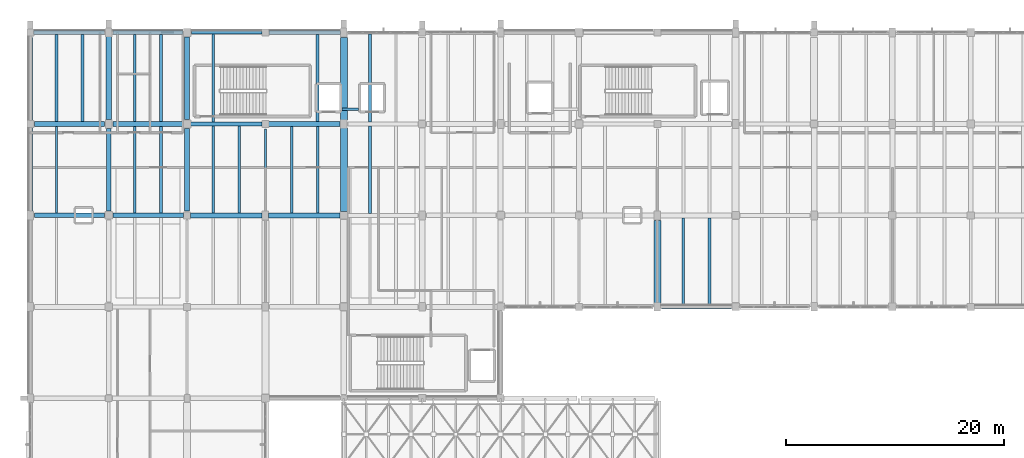
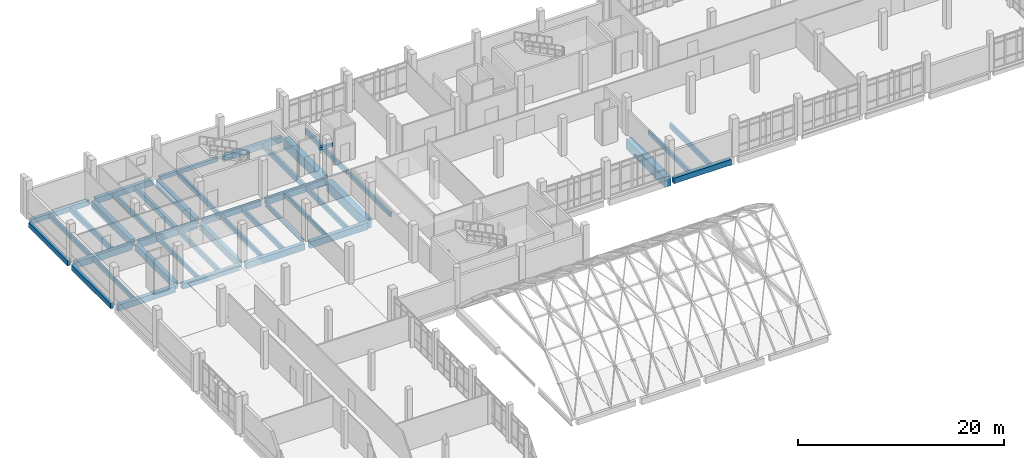
# One storey, part 43 of 87: 41 beams.
"""IFC4 building model written with IfcOpenShell, lengths in metres."""

from ifc_helpers import new_model, si_unit, direction, frame, origin, origin_2d, place, context, subcontext, project, spatial, rectangle, i_section, extrude, material, material_profile, profile_set, type_object, element, save


model = new_model("IFC4")

# Units and contexts
model_context = context("Model", 3, precision=1e-05, world=origin(), true_north=direction((0.0, 1.0)))
body_context = subcontext(model_context, "Body", "Model", "MODEL_VIEW")
ifc_project = project(units=[si_unit("LENGTHUNIT", "METRE"), si_unit("AREAUNIT", "SQUARE_METRE"), si_unit("VOLUMEUNIT", "CUBIC_METRE"), si_unit("PLANEANGLEUNIT", "RADIAN"), si_unit("MASSUNIT", "GRAM", prefix="KILO")], contexts=[model_context])

# Site, building, storey
site_placement = place(None, origin())
site = spatial("IfcSite", under=ifc_project, at=site_placement, CompositionType="ELEMENT")
building_placement = place(site_placement, origin())
building = spatial("IfcBuilding", under=site, at=building_placement, Name="Kalluvel Institute of Natural Sciences", CompositionType="ELEMENT")
storey_placement = place(building_placement, frame((0.0, 0.0, 18.89990234375)))
storey = spatial("IfcBuildingStorey", under=building, at=storey_placement, Name="L04", CompositionType="ELEMENT", Elevation=18.89990234375)

# Beams
ifc_material_1 = material(Name="Steel E350 Grade 350", Category="steel")
ifc_material_profile_1 = material_profile(ifc_material_1, i_section(OverallWidth=0.18994140625, OverallDepth=0.550048828125, WebThickness=0.01123046875, FlangeThickness=0.019287109375, FilletRadius=0.01806640625, at=origin_2d()), Name="ISMB 550")
ifc_profile_set_1 = profile_set([ifc_material_profile_1], Name="Steel E350 Grade 350")
beam_type_1 = type_object("IfcBeamType", Name="BM-ISMB550", PredefinedType="BEAM", material=ifc_profile_set_1)
beam_1_placement = place(storey_placement, frame((35.60009765625, 111.64990234375, -0.594970703125), z_axis=(0.0, 1.0, 0.0), x_axis=(-1.0, 0.0, 0.0)))
element("IfcBeam", 1, at=beam_1_placement, inside=storey, type_object=beam_type_1, Name="L04 girder GIR-L04-NS-X356-Y1112", PredefinedType="BEAM", context=body_context, shape_type="SweptSolid", body=[
    extrude(i_section(OverallWidth=0.18994140625, OverallDepth=0.550048828125, WebThickness=0.01123046875, FlangeThickness=0.019287109375, FilletRadius=0.01806640625, at=origin_2d()), origin(), (0.0, 0.0, 1.0), 7.5),
])
ifc_material_2 = material(Name="Concrete M40", Category="concrete")
ifc_material_profile_2 = material_profile(ifc_material_2, rectangle(XDim=0.3798828125, YDim=0.639892578125, at=origin_2d()), Name="RCB 380x640")
ifc_profile_set_2 = profile_set([ifc_material_profile_2], Name="Concrete M40")
beam_type_2 = type_object("IfcBeamType", Name="BM-RC380x640", PredefinedType="BEAM", material=ifc_profile_set_2)
beam_2_placement = place(storey_placement, frame((28.72509765625, 119.60009765625, -0.639892578125), z_axis=(1.0, 0.0, 0.0), x_axis=(0.0, 1.0, 0.0)))
element("IfcBeam", 2, at=beam_2_placement, inside=storey, type_object=beam_type_2, Name="L04 girder GIR-L04-EW-X284-Y1196", PredefinedType="BEAM", context=body_context, shape_type="SweptSolid", body=[
    extrude(rectangle(XDim=0.3798828125, YDim=0.639892578125, at=origin_2d()), origin(), (0.0, 0.0, 1.0), 6.574951171875),
])
ifc_material_profile_3 = material_profile(ifc_material_2, rectangle(XDim=0.39990234375, YDim=0.64990234375, at=origin_2d()), Name="RCB 400x650")
ifc_profile_set_3 = profile_set([ifc_material_profile_3], Name="Concrete M40")
beam_type_3 = type_object("IfcBeamType", Name="BM-RC400x650", PredefinedType="BEAM", material=ifc_profile_set_3)
beam_3_placement = place(storey_placement, frame((71.97509765625, 102.800048828125, -0.64501953125), z_axis=(1.0, 0.0, 0.0), x_axis=(0.0, 1.0, 0.0)))
element("IfcBeam", 3, at=beam_3_placement, inside=storey, type_object=beam_type_3, Name="L04 girder GIR-L04-EW-X716-Y1028", PredefinedType="BEAM", context=body_context, shape_type="SweptSolid", body=[
    extrude(rectangle(XDim=0.39990234375, YDim=0.64990234375, at=origin_2d()), origin(), (0.0, 0.0, 1.0), 6.4248046875),
])
beam_4_placement = place(storey_placement, frame((21.60009765625, 111.199951171875, -0.64501953125), z_axis=(1.0, 0.0, 0.0), x_axis=(0.0, 1.0, 0.0)))
element("IfcBeam", 4, at=beam_4_placement, inside=storey, type_object=beam_type_3, Name="L04 girder GIR-L04-EW-X212-Y1112", PredefinedType="BEAM", context=body_context, shape_type="SweptSolid", body=[
    extrude(rectangle(XDim=0.39990234375, YDim=0.64990234375, at=origin_2d()), origin(), (0.0, 0.0, 1.0), 6.474853515625),
])
ifc_material_profile_4 = material_profile(ifc_material_2, rectangle(XDim=0.419921875, YDim=0.719970703125, at=origin_2d()), Name="RCB 420x720")
ifc_profile_set_4 = profile_set([ifc_material_profile_4], Name="Concrete M40")
beam_type_4 = type_object("IfcBeamType", Name="BM-RC420x720", PredefinedType="BEAM", material=ifc_profile_set_4)
beam_5_placement = place(storey_placement, frame((14.375, 111.199951171875, -0.679931640625), z_axis=(1.0, 0.0, 0.0), x_axis=(0.0, 1.0, 0.0)))
element("IfcBeam", 5, at=beam_5_placement, inside=storey, type_object=beam_type_4, Name="L04 girder GIR-L04-EW-X140-Y1112", PredefinedType="BEAM", context=body_context, shape_type="SweptSolid", body=[
    extrude(rectangle(XDim=0.419921875, YDim=0.719970703125, at=origin_2d()), origin(), (0.0, 0.0, 1.0), 6.425048828125),
])
beam_6_placement = place(storey_placement, frame((35.89990234375, 119.60009765625, -0.679931640625), z_axis=(1.0, 0.0, 0.0), x_axis=(0.0, 1.0, 0.0)))
element("IfcBeam", 6, at=beam_6_placement, inside=storey, type_object=beam_type_4, Name="L04 girder GIR-L04-EW-X356-Y1196", PredefinedType="BEAM", context=body_context, shape_type="SweptSolid", body=[
    extrude(rectangle(XDim=0.419921875, YDim=0.719970703125, at=origin_2d()), origin(), (0.0, 0.0, 1.0), 6.525146484375),
])
ifc_material_profile_5 = material_profile(ifc_material_2, rectangle(XDim=0.449951171875, YDim=0.75, at=origin_2d()), Name="RCB 450x750")
ifc_profile_set_5 = profile_set([ifc_material_profile_5], Name="Concrete M40")
beam_type_5 = type_object("IfcBeamType", Name="BM-RC450x750", PredefinedType="BEAM", material=ifc_profile_set_5)
beam_7_placement = place(storey_placement, frame((28.72509765625, 111.199951171875, -0.69482421875), z_axis=(1.0, 0.0, 0.0), x_axis=(0.0, 1.0, 0.0)))
element("IfcBeam", 7, at=beam_7_placement, inside=storey, type_object=beam_type_5, Name="L04 girder GIR-L04-EW-X284-Y1112", PredefinedType="BEAM", context=body_context, shape_type="SweptSolid", body=[
    extrude(rectangle(XDim=0.449951171875, YDim=0.75, at=origin_2d()), origin(), (0.0, 0.0, 1.0), 6.574951171875),
])
beam_8_placement = place(storey_placement, frame((14.375, 119.60009765625, -0.69482421875), z_axis=(1.0, 0.0, 0.0), x_axis=(0.0, 1.0, 0.0)))
element("IfcBeam", 8, at=beam_8_placement, inside=storey, type_object=beam_type_5, Name="L04 girder GIR-L04-EW-X140-Y1196", PredefinedType="BEAM", context=body_context, shape_type="SweptSolid", body=[
    extrude(rectangle(XDim=0.449951171875, YDim=0.75, at=origin_2d()), origin(), (0.0, 0.0, 1.0), 6.425048828125),
])
ifc_material_profile_6 = material_profile(ifc_material_2, rectangle(XDim=0.449951171875, YDim=0.800048828125, at=origin_2d()), Name="RCB 450x800")
ifc_profile_set_6 = profile_set([ifc_material_profile_6], Name="Concrete M40")
beam_type_6 = type_object("IfcBeamType", Name="BM-RC450x800", PredefinedType="BEAM", material=ifc_profile_set_6)
beam_9_placement = place(storey_placement, frame((35.89990234375, 111.199951171875, -0.719970703125), z_axis=(1.0, 0.0, 0.0), x_axis=(0.0, 1.0, 0.0)))
element("IfcBeam", 9, at=beam_9_placement, inside=storey, type_object=beam_type_6, Name="L04 girder GIR-L04-EW-X356-Y1112", PredefinedType="BEAM", context=body_context, shape_type="SweptSolid", body=[
    extrude(rectangle(XDim=0.449951171875, YDim=0.800048828125, at=origin_2d()), origin(), (0.0, 0.0, 1.0), 6.525146484375),
])
beam_10_placement = place(storey_placement, frame((21.60009765625, 119.60009765625, -0.719970703125), z_axis=(1.0, 0.0, 0.0), x_axis=(0.0, 1.0, 0.0)))
element("IfcBeam", 10, at=beam_10_placement, inside=storey, type_object=beam_type_6, Name="L04 girder GIR-L04-EW-X212-Y1196", PredefinedType="BEAM", context=body_context, shape_type="SweptSolid", body=[
    extrude(rectangle(XDim=0.449951171875, YDim=0.800048828125, at=origin_2d()), origin(), (0.0, 0.0, 1.0), 6.474853515625),
])
beam_11_placement = place(storey_placement, frame((21.199951171875, 111.60009765625, -0.719970703125), z_axis=(0.0, 1.0, 0.0), x_axis=(-1.0, 0.0, 0.0)))
element("IfcBeam", 11, at=beam_11_placement, inside=storey, type_object=beam_type_6, Name="L04 girder GIR-L04-NS-X212-Y1112", PredefinedType="BEAM", context=body_context, shape_type="SweptSolid", body=[
    extrude(rectangle(XDim=0.449951171875, YDim=0.800048828125, at=origin_2d()), origin(), (0.0, 0.0, 1.0), 7.599853515625),
])
beam_12_placement = place(storey_placement, frame((28.39990234375, 111.625, -0.719970703125), z_axis=(0.0, 1.0, 0.0), x_axis=(-1.0, 0.0, 0.0)))
element("IfcBeam", 12, at=beam_12_placement, inside=storey, type_object=beam_type_6, Name="L04 girder GIR-L04-NS-X284-Y1112", PredefinedType="BEAM", context=body_context, shape_type="SweptSolid", body=[
    extrude(rectangle(XDim=0.449951171875, YDim=0.800048828125, at=origin_2d()), origin(), (0.0, 0.0, 1.0), 7.550048828125),
])
beam_13_placement = place(storey_placement, frame((28.39990234375, 120.02490234375, -0.719970703125), z_axis=(0.0, 1.0, 0.0), x_axis=(-1.0, 0.0, 0.0)))
element("IfcBeam", 13, at=beam_13_placement, inside=storey, type_object=beam_type_6, Name="L04 girder GIR-L04-NS-X284-Y1196", PredefinedType="BEAM", context=body_context, shape_type="SweptSolid", body=[
    extrude(rectangle(XDim=0.449951171875, YDim=0.800048828125, at=origin_2d()), origin(), (0.0, 0.0, 1.0), 7.5751953125),
])
ifc_material_3 = material(Name="Concrete M50", Category="concrete")
ifc_material_profile_7 = material_profile(ifc_material_3, rectangle(XDim=0.5, YDim=0.85009765625, at=origin_2d()), Name="RCB 500x850")
ifc_profile_set_7 = profile_set([ifc_material_profile_7], Name="Concrete M50")
beam_type_7 = type_object("IfcBeamType", Name="BM-RC500x850", PredefinedType="BEAM", material=ifc_profile_set_7)
beam_14_placement = place(storey_placement, frame((21.199951171875, 120.0, -0.744873046875), z_axis=(0.0, 1.0, 0.0), x_axis=(-1.0, 0.0, 0.0)))
element("IfcBeam", 14, at=beam_14_placement, inside=storey, type_object=beam_type_7, Name="L04 girder GIR-L04-NS-X212-Y1196", PredefinedType="BEAM", context=body_context, shape_type="SweptSolid", body=[
    extrude(rectangle(XDim=0.5, YDim=0.85009765625, at=origin_2d()), origin(), (0.0, 0.0, 1.0), 7.625),
])
ifc_material_profile_8 = material_profile(ifc_material_3, rectangle(XDim=0.64990234375, YDim=1.199951171875, at=origin_2d()), Name="RCB 650x1200")
ifc_profile_set_8 = profile_set([ifc_material_profile_8], Name="Concrete M50")
beam_type_8 = type_object("IfcBeamType", Name="BM-RC650x1200", PredefinedType="BEAM", material=ifc_profile_set_8)
beam_15_placement = place(storey_placement, frame((42.800048828125, 111.574951171875, -0.919921875), z_axis=(0.0, 1.0, 0.0), x_axis=(-1.0, 0.0, 0.0)))
element("IfcBeam", 15, at=beam_15_placement, inside=storey, type_object=beam_type_8, Name="L04 girder GIR-L04-NS-X428-Y1112", PredefinedType="BEAM", context=body_context, shape_type="SweptSolid", body=[
    extrude(rectangle(XDim=0.64990234375, YDim=1.199951171875, at=origin_2d()), origin(), (0.0, 0.0, 1.0), 7.650146484375),
])
for number, where, z_axis, x_axis, name in (
    (16, (42.800048828125, 119.97509765625, -0.919921875), (0.0, 1.0, 0.0), (-1.0, 0.0, 0.0), "L04 girder GIR-L04-NS-X428-Y1196"),
    (17, (71.60009765625, 103.175048828125, -0.919921875), (0.0, 1.0, 0.0), (-1.0, 0.0, 0.0), "L04 girder GIR-L04-NS-X716-Y1028"),
):
    element("IfcBeam", number, at=place(storey_placement, frame(where, z_axis=z_axis, x_axis=x_axis)), inside=storey, type_object=beam_type_8, Name=name, PredefinedType="BEAM", context=body_context, shape_type="SweptSolid", body=[
        extrude(rectangle(XDim=0.64990234375, YDim=1.199951171875, at=origin_2d()), origin(), (0.0, 0.0, 1.0), 7.574951171875),
    ])
ifc_material_4 = material(Name="Sadarahalli Granite Precast Concrete M45", Category="masonry")
ifc_material_profile_9 = material_profile(ifc_material_4, rectangle(XDim=0.25, YDim=0.35009765625, at=origin_2d()), Name="LIN 250x350")
ifc_profile_set_9 = profile_set([ifc_material_profile_9], Name="Sadarahalli Granite Precast Concrete M45")
beam_type_9 = type_object("IfcBeamType", Name="LN-250x350-EXT", PredefinedType="LINTEL", material=ifc_profile_set_9)
beam_16_placement = place(storey_placement, frame((42.639892578125, 120.949951171875, 2.35009765625), z_axis=(1.0, 0.0, 0.0), x_axis=(0.0, 1.0, 0.0)))
element("IfcBeam", 18, at=beam_16_placement, inside=storey, type_object=beam_type_9, Name="L04 lift-core coupling lintel A", PredefinedType="LINTEL", context=body_context, shape_type="SweptSolid", body=[
    extrude(rectangle(XDim=0.25, YDim=0.35009765625, at=origin_2d()), origin(), (0.0, 0.0, 1.0), 1.52001953125),
])
ifc_material_profile_10 = material_profile(ifc_material_2, rectangle(XDim=0.300048828125, YDim=0.449951171875, at=origin_2d()), Name="RCB 300x450")
ifc_profile_set_10 = profile_set([ifc_material_profile_10], Name="Concrete M40")
beam_type_10 = type_object("IfcBeamType", Name="SP-RC300x450", PredefinedType="SPANDREL", material=ifc_profile_set_10)
beam_17_placement = place(storey_placement, frame((28.800048828125, 128.0, -0.544921875), z_axis=(1.0, 0.0, 0.0), x_axis=(0.0, 1.0, 0.0)))
element("IfcBeam", 19, at=beam_17_placement, inside=storey, type_object=beam_type_10, Name="L04 girder GIR-L04-EW-X284-Y1280", PredefinedType="SPANDREL", context=body_context, shape_type="SweptSolid", body=[
    extrude(rectangle(XDim=0.300048828125, YDim=0.449951171875, at=origin_2d()), origin(), (0.0, 0.0, 1.0), 6.474853515625),
])
ifc_material_profile_11 = material_profile(ifc_material_2, rectangle(XDim=0.35009765625, YDim=0.60009765625, at=origin_2d()), Name="RCB 350x600")
ifc_profile_set_11 = profile_set([ifc_material_profile_11], Name="Concrete M40")
beam_type_11 = type_object("IfcBeamType", Name="SP-RC350x600", PredefinedType="SPANDREL", material=ifc_profile_set_11)
beam_18_placement = place(storey_placement, frame((14.300048828125, 128.0, -0.619873046875), z_axis=(1.0, 0.0, 0.0), x_axis=(0.0, 1.0, 0.0)))
element("IfcBeam", 20, at=beam_18_placement, inside=storey, type_object=beam_type_11, Name="L04 girder GIR-L04-EW-X140-Y1280", PredefinedType="SPANDREL", context=body_context, shape_type="SweptSolid", body=[
    extrude(rectangle(XDim=0.35009765625, YDim=0.60009765625, at=origin_2d()), origin(), (0.0, 0.0, 1.0), 6.52490234375),
])
beam_19_placement = place(storey_placement, frame((14.0, 111.574951171875, -0.619873046875), z_axis=(0.0, 1.0, 0.0), x_axis=(-1.0, 0.0, 0.0)))
element("IfcBeam", 21, at=beam_19_placement, inside=storey, type_object=beam_type_11, Name="L04 girder GIR-L04-NS-X140-Y1112", PredefinedType="SPANDREL", context=body_context, shape_type="SweptSolid", body=[
    extrude(rectangle(XDim=0.35009765625, YDim=0.60009765625, at=origin_2d()), origin(), (0.0, 0.0, 1.0), 7.650146484375),
])
beam_20_placement = place(storey_placement, frame((14.0, 119.97509765625, -0.619873046875), z_axis=(0.0, 1.0, 0.0), x_axis=(-1.0, 0.0, 0.0)))
element("IfcBeam", 22, at=beam_20_placement, inside=storey, type_object=beam_type_11, Name="L04 girder GIR-L04-NS-X140-Y1196", PredefinedType="SPANDREL", context=body_context, shape_type="SweptSolid", body=[
    extrude(rectangle(XDim=0.35009765625, YDim=0.60009765625, at=origin_2d()), origin(), (0.0, 0.0, 1.0), 7.574951171875),
])
ifc_material_profile_12 = material_profile(ifc_material_2, rectangle(XDim=0.39990234375, YDim=0.699951171875, at=origin_2d()), Name="RCB 400x700")
ifc_profile_set_12 = profile_set([ifc_material_profile_12], Name="Concrete M40")
beam_type_12 = type_object("IfcBeamType", Name="SP-RC400x700", PredefinedType="SPANDREL", material=ifc_profile_set_12)
beam_21_placement = place(storey_placement, frame((21.574951171875, 128.0, -0.669921875), z_axis=(1.0, 0.0, 0.0), x_axis=(0.0, 1.0, 0.0)))
element("IfcBeam", 23, at=beam_21_placement, inside=storey, type_object=beam_type_12, Name="L04 girder GIR-L04-EW-X212-Y1280", PredefinedType="SPANDREL", context=body_context, shape_type="SweptSolid", body=[
    extrude(rectangle(XDim=0.39990234375, YDim=0.699951171875, at=origin_2d()), origin(), (0.0, 0.0, 1.0), 6.425048828125),
])
beam_22_placement = place(storey_placement, frame((35.925048828125, 128.0, -0.669921875), z_axis=(1.0, 0.0, 0.0), x_axis=(0.0, 1.0, 0.0)))
element("IfcBeam", 24, at=beam_22_placement, inside=storey, type_object=beam_type_12, Name="L04 girder GIR-L04-EW-X356-Y1280", PredefinedType="SPANDREL", context=body_context, shape_type="SweptSolid", body=[
    extrude(rectangle(XDim=0.39990234375, YDim=0.699951171875, at=origin_2d()), origin(), (0.0, 0.0, 1.0), 6.574951171875),
])
ifc_material_profile_13 = material_profile(ifc_material_2, rectangle(XDim=0.219970703125, YDim=0.5, at=origin_2d()), Name="WAF 220x500")
ifc_profile_set_13 = profile_set([ifc_material_profile_13], Name="Concrete M40")
beam_type_13 = type_object("IfcBeamType", Name="WJ-220x500", PredefinedType="JOIST", material=ifc_profile_set_13)
beam_23_placement = place(storey_placement, frame((16.39990234375, 111.409912109375, -0.56982421875), z_axis=(0.0, 1.0, 0.0), x_axis=(-1.0, 0.0, 0.0)))
element("IfcBeam", 25, at=beam_23_placement, inside=storey, type_object=beam_type_13, Name="L04 waffle joist RIB-L04-0294", PredefinedType="JOIST", context=body_context, shape_type="SweptSolid", body=[
    extrude(rectangle(XDim=0.219970703125, YDim=0.5, at=origin_2d()), origin(), (0.0, 0.0, 1.0), 7.965087890625),
])
ifc_material_profile_14 = material_profile(ifc_material_2, rectangle(XDim=0.239990234375, YDim=0.52001953125, at=origin_2d()), Name="WAF 240x520")
ifc_profile_set_14 = profile_set([ifc_material_profile_14], Name="Concrete M40")
beam_type_14 = type_object("IfcBeamType", Name="WJ-240x520", PredefinedType="JOIST", material=ifc_profile_set_14)
beam_24_placement = place(storey_placement, frame((23.60009765625, 111.39990234375, -0.579833984375), z_axis=(0.0, 1.0, 0.0), x_axis=(-1.0, 0.0, 0.0)))
element("IfcBeam", 26, at=beam_24_placement, inside=storey, type_object=beam_type_14, Name="L04 waffle joist RIB-L04-0299", PredefinedType="JOIST", context=body_context, shape_type="SweptSolid", body=[
    extrude(rectangle(XDim=0.239990234375, YDim=0.52001953125, at=origin_2d()), origin(), (0.0, 0.0, 1.0), 7.97509765625),
])
beam_25_placement = place(storey_placement, frame((30.800048828125, 111.425048828125, -0.579833984375), z_axis=(0.0, 1.0, 0.0), x_axis=(-1.0, 0.0, 0.0)))
element("IfcBeam", 27, at=beam_25_placement, inside=storey, type_object=beam_type_14, Name="L04 waffle joist RIB-L04-0305", PredefinedType="JOIST", context=body_context, shape_type="SweptSolid", body=[
    extrude(rectangle(XDim=0.239990234375, YDim=0.52001953125, at=origin_2d()), origin(), (0.0, 0.0, 1.0), 7.98486328125),
])
beam_26_placement = place(storey_placement, frame((38.0, 111.425048828125, -0.579833984375), z_axis=(0.0, 1.0, 0.0), x_axis=(-1.0, 0.0, 0.0)))
element("IfcBeam", 28, at=beam_26_placement, inside=storey, type_object=beam_type_14, Name="L04 waffle joist RIB-L04-0310", PredefinedType="JOIST", context=body_context, shape_type="SweptSolid", body=[
    extrude(rectangle(XDim=0.239990234375, YDim=0.52001953125, at=origin_2d()), origin(), (0.0, 0.0, 1.0), 7.96484375),
])
beam_27_placement = place(storey_placement, frame((45.199951171875, 111.389892578125, -0.579833984375), z_axis=(0.0, 1.0, 0.0), x_axis=(-1.0, 0.0, 0.0)))
element("IfcBeam", 29, at=beam_27_placement, inside=storey, type_object=beam_type_14, Name="L04 waffle joist RIB-L04-0315", PredefinedType="JOIST", context=body_context, shape_type="SweptSolid", body=[
    extrude(rectangle(XDim=0.239990234375, YDim=0.52001953125, at=origin_2d()), origin(), (0.0, 0.0, 1.0), 8.010009765625),
])
beam_28_placement = place(storey_placement, frame((74.0, 103.0, -0.579833984375), z_axis=(0.0, 1.0, 0.0), x_axis=(-1.0, 0.0, 0.0)))
element("IfcBeam", 30, at=beam_28_placement, inside=storey, type_object=beam_type_14, Name="L04 waffle joist RIB-L04-0333", PredefinedType="JOIST", context=body_context, shape_type="SweptSolid", body=[
    extrude(rectangle(XDim=0.239990234375, YDim=0.52001953125, at=origin_2d()), origin(), (0.0, 0.0, 1.0), 7.97509765625),
])
ifc_material_profile_15 = material_profile(ifc_material_2, rectangle(XDim=0.25, YDim=0.550048828125, at=origin_2d()), Name="WAF 250x550")
ifc_profile_set_15 = profile_set([ifc_material_profile_15], Name="Concrete M40")
beam_type_15 = type_object("IfcBeamType", Name="WJ-250x550", PredefinedType="JOIST", material=ifc_profile_set_15)
beam_29_placement = place(storey_placement, frame((16.39990234375, 119.824951171875, -0.594970703125), z_axis=(0.0, 1.0, 0.0), x_axis=(-1.0, 0.0, 0.0)))
element("IfcBeam", 31, at=beam_29_placement, inside=storey, type_object=beam_type_15, Name="L04 waffle joist RIB-L04-0295", PredefinedType="JOIST", context=body_context, shape_type="SweptSolid", body=[
    extrude(rectangle(XDim=0.25, YDim=0.550048828125, at=origin_2d()), origin(), (0.0, 0.0, 1.0), 8.0),
])
ifc_material_profile_16 = material_profile(ifc_material_2, rectangle(XDim=0.25, YDim=0.60009765625, at=origin_2d()), Name="WAF 250x600")
ifc_profile_set_16 = profile_set([ifc_material_profile_16], Name="Concrete M40")
beam_type_16 = type_object("IfcBeamType", Name="WJ-250x600", PredefinedType="JOIST", material=ifc_profile_set_16)
for number, where, z_axis, x_axis, name in (
    (32, (26.0, 111.39990234375, -0.619873046875), (0.0, 1.0, 0.0), (-1.0, 0.0, 0.0), "L04 waffle joist RIB-L04-0300"),
    (33, (23.60009765625, 119.824951171875, -0.619873046875), (0.0, 1.0, 0.0), (-1.0, 0.0, 0.0), "L04 waffle joist RIB-L04-0301"),
):
    element("IfcBeam", number, at=place(storey_placement, frame(where, z_axis=z_axis, x_axis=x_axis)), inside=storey, type_object=beam_type_16, Name=name, PredefinedType="JOIST", context=body_context, shape_type="SweptSolid", body=[
        extrude(rectangle(XDim=0.25, YDim=0.60009765625, at=origin_2d()), origin(), (0.0, 0.0, 1.0), 7.97509765625),
    ])
beam_30_placement = place(storey_placement, frame((33.199951171875, 111.425048828125, -0.619873046875), z_axis=(0.0, 1.0, 0.0), x_axis=(-1.0, 0.0, 0.0)))
element("IfcBeam", 34, at=beam_30_placement, inside=storey, type_object=beam_type_16, Name="L04 waffle joist RIB-L04-0306", PredefinedType="JOIST", context=body_context, shape_type="SweptSolid", body=[
    extrude(rectangle(XDim=0.25, YDim=0.60009765625, at=origin_2d()), origin(), (0.0, 0.0, 1.0), 7.98486328125),
])
beam_31_placement = place(storey_placement, frame((30.800048828125, 119.7900390625, -0.619873046875), z_axis=(0.0, 1.0, 0.0), x_axis=(-1.0, 0.0, 0.0)))
element("IfcBeam", 35, at=beam_31_placement, inside=storey, type_object=beam_type_16, Name="L04 waffle joist RIB-L04-0307", PredefinedType="JOIST", context=body_context, shape_type="SweptSolid", body=[
    extrude(rectangle(XDim=0.25, YDim=0.60009765625, at=origin_2d()), origin(), (0.0, 0.0, 1.0), 8.06005859375),
])
beam_32_placement = place(storey_placement, frame((40.39990234375, 111.425048828125, -0.619873046875), z_axis=(0.0, 1.0, 0.0), x_axis=(-1.0, 0.0, 0.0)))
element("IfcBeam", 36, at=beam_32_placement, inside=storey, type_object=beam_type_16, Name="L04 waffle joist RIB-L04-0311", PredefinedType="JOIST", context=body_context, shape_type="SweptSolid", body=[
    extrude(rectangle(XDim=0.25, YDim=0.60009765625, at=origin_2d()), origin(), (0.0, 0.0, 1.0), 7.96484375),
])
beam_33_placement = place(storey_placement, frame((45.199951171875, 119.800048828125, -0.619873046875), z_axis=(0.0, 1.0, 0.0), x_axis=(-1.0, 0.0, 0.0)))
element("IfcBeam", 37, at=beam_33_placement, inside=storey, type_object=beam_type_16, Name="L04 waffle joist RIB-L04-0317", PredefinedType="JOIST", context=body_context, shape_type="SweptSolid", body=[
    extrude(rectangle(XDim=0.25, YDim=0.60009765625, at=origin_2d()), origin(), (0.0, 0.0, 1.0), 8.050048828125),
])
beam_34_placement = place(storey_placement, frame((76.39990234375, 103.0, -0.619873046875), z_axis=(0.0, 1.0, 0.0), x_axis=(-1.0, 0.0, 0.0)))
element("IfcBeam", 38, at=beam_34_placement, inside=storey, type_object=beam_type_16, Name="L04 waffle joist RIB-L04-0334", PredefinedType="JOIST", context=body_context, shape_type="SweptSolid", body=[
    extrude(rectangle(XDim=0.25, YDim=0.60009765625, at=origin_2d()), origin(), (0.0, 0.0, 1.0), 7.97509765625),
])
ifc_material_profile_17 = material_profile(ifc_material_3, rectangle(XDim=0.280029296875, YDim=0.64990234375, at=origin_2d()), Name="WAF 280x650")
ifc_profile_set_17 = profile_set([ifc_material_profile_17], Name="Concrete M50")
beam_type_17 = type_object("IfcBeamType", Name="WJ-280x650", PredefinedType="JOIST", material=ifc_profile_set_17)
beam_35_placement = place(storey_placement, frame((18.800048828125, 119.824951171875, -0.64501953125), z_axis=(0.0, 1.0, 0.0), x_axis=(-1.0, 0.0, 0.0)))
element("IfcBeam", 39, at=beam_35_placement, inside=storey, type_object=beam_type_17, Name="L04 waffle joist RIB-L04-0296", PredefinedType="JOIST", context=body_context, shape_type="SweptSolid", body=[
    extrude(rectangle(XDim=0.280029296875, YDim=0.64990234375, at=origin_2d()), origin(), (0.0, 0.0, 1.0), 8.0),
])
beam_36_placement = place(storey_placement, frame((26.0, 119.824951171875, -0.64501953125), z_axis=(0.0, 1.0, 0.0), x_axis=(-1.0, 0.0, 0.0)))
element("IfcBeam", 40, at=beam_36_placement, inside=storey, type_object=beam_type_17, Name="L04 waffle joist RIB-L04-0302", PredefinedType="JOIST", context=body_context, shape_type="SweptSolid", body=[
    extrude(rectangle(XDim=0.280029296875, YDim=0.64990234375, at=origin_2d()), origin(), (0.0, 0.0, 1.0), 7.97509765625),
])
beam_37_placement = place(storey_placement, frame((40.39990234375, 119.81005859375, -0.64501953125), z_axis=(0.0, 1.0, 0.0), x_axis=(-1.0, 0.0, 0.0)))
element("IfcBeam", 41, at=beam_37_placement, inside=storey, type_object=beam_type_17, Name="L04 waffle joist RIB-L04-0312", PredefinedType="JOIST", context=body_context, shape_type="SweptSolid", body=[
    extrude(rectangle(XDim=0.280029296875, YDim=0.64990234375, at=origin_2d()), origin(), (0.0, 0.0, 1.0), 7.989990234375),
])

save(model, "model.ifc")
